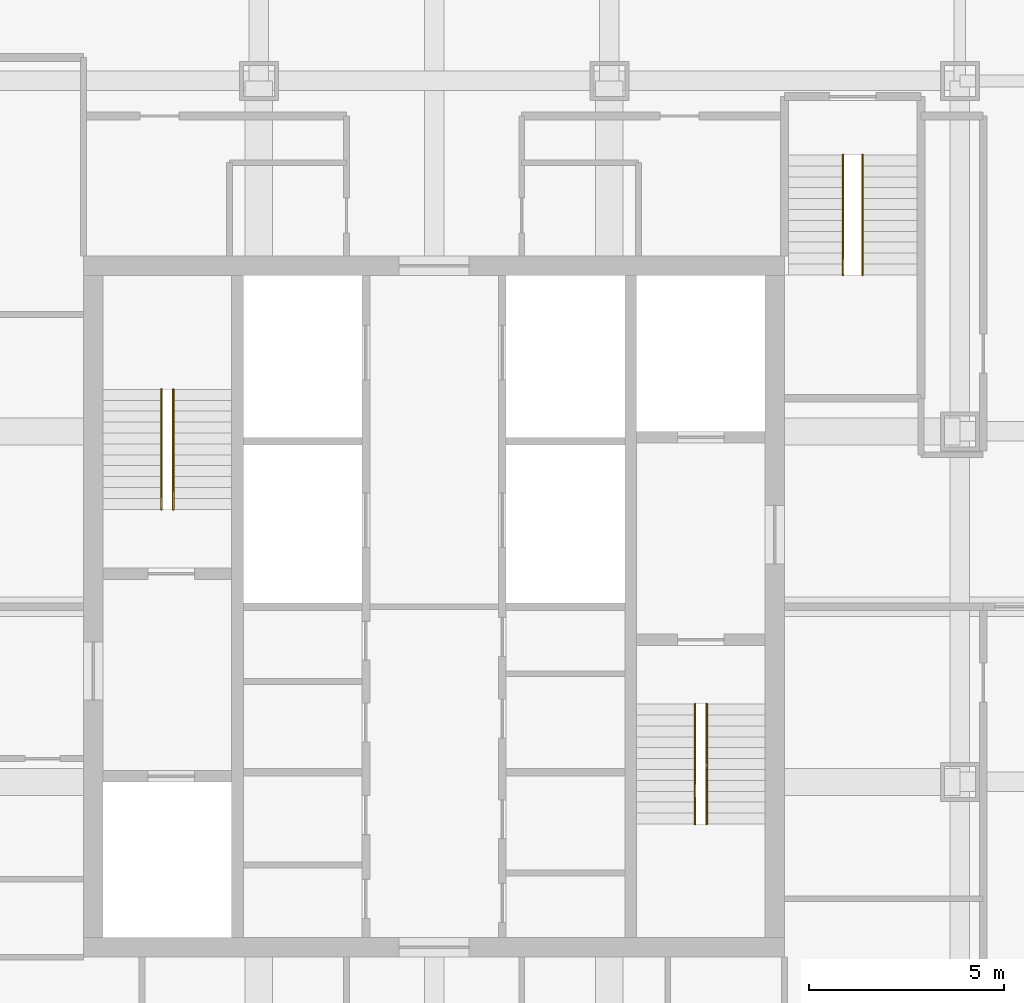
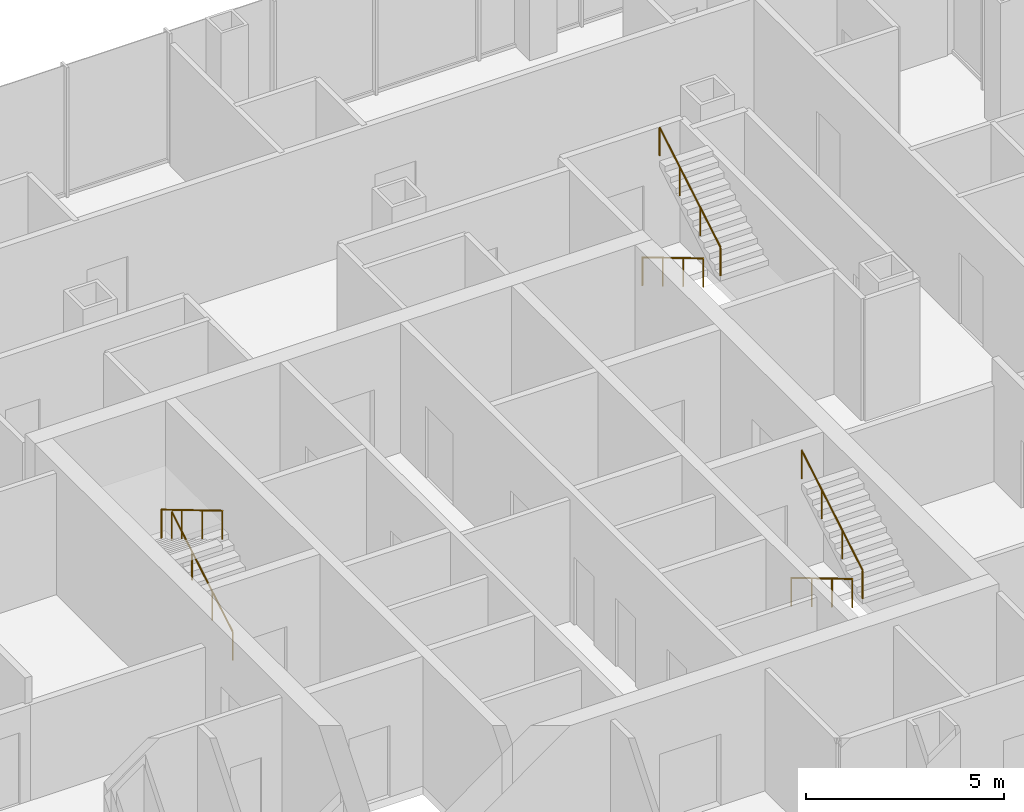
# One storey, part 11 of 11: 6 railings.
"""IFC4 building model written with IfcOpenShell, lengths in metres."""

from ifc_helpers import new_model, si_unit, direction, frame, origin, origin_2d, place, context, subcontext, project, spatial, circle, extrude, material, type_object, element, save


model = new_model("IFC4")

# Units and contexts
model_context = context("Model", 3, precision=1e-05, world=origin(), true_north=direction((0.0, 1.0)))
body_context = subcontext(model_context, "Body", "Model", "MODEL_VIEW")
ifc_project = project(units=[si_unit("LENGTHUNIT", "METRE"), si_unit("AREAUNIT", "SQUARE_METRE"), si_unit("VOLUMEUNIT", "CUBIC_METRE"), si_unit("PLANEANGLEUNIT", "RADIAN"), si_unit("MASSUNIT", "GRAM", prefix="KILO")], contexts=[model_context])

# Site, building, storey
site_placement = place(None, origin())
site = spatial("IfcSite", under=ifc_project, at=site_placement, CompositionType="ELEMENT")
building_placement = place(site_placement, origin())
building = spatial("IfcBuilding", under=site, at=building_placement, Name="Malebo Sky Hospital", CompositionType="ELEMENT")
storey_placement = place(building_placement, frame((0.0, 0.0, 213.0)))
storey = spatial("IfcBuildingStorey", under=building, at=storey_placement, Name="L51", CompositionType="ELEMENT", Elevation=213.0)

# Railings
ifc_material = material(Name="Stainless steel tube", Category="steel")
railing_type = type_object("IfcRailingType", Name="STAIR HANDRAIL 900", PredefinedType="HANDRAIL", material=ifc_material)
railing_1_placement = place(storey_placement, frame((53.300048828125, 64.5, 0.166748046875)))
element("IfcRailing", 1, at=railing_1_placement, inside=storey, type_object=railing_type, Name="Stair handrail S1 flight 1", PredefinedType="HANDRAIL", context=body_context, shape_type="SweptSolid", body=[
    extrude(circle(Radius=0.02392578125, at=origin_2d()), frame((0.0, 0.0, 0.8759765625), z_axis=(0.0, 0.859308565015, 0.511457515432), x_axis=(-1.0, 0.0, 0.0)), (0.0, 0.0, 1.0), 3.58447265625),
    extrude(circle(Radius=0.02099609375, at=origin_2d()), origin(), (0.0, 0.0, 1.0), 0.851806640625),
    extrude(circle(Radius=0.02099609375, at=origin_2d()), frame((0.0, 1.026611328125, 0.611083984375)), (0.0, 0.0, 1.0), 0.851806640625),
    extrude(circle(Radius=0.02099609375, at=origin_2d()), frame((0.0, 2.053466796875, 1.22216796875)), (0.0, 0.0, 1.0), 0.851806640625),
    extrude(circle(Radius=0.02099609375, at=origin_2d()), frame((0.0, 3.080078125, 1.833251953125)), (0.0, 0.0, 1.0), 0.851806640625),
])
for number, where, name in (
    (2, (53.0, 67.580078125, 2.166748046875), "Stair handrail S1 flight 2"),
    (3, (66.699951171875, 59.5, 0.166748046875), "Stair handrail S2 flight 1"),
):
    element("IfcRailing", number, at=place(storey_placement, frame(where)), inside=storey, type_object=railing_type, Name=name, PredefinedType="HANDRAIL", context=body_context, shape_type="SweptSolid", body=[
        extrude(circle(Radius=0.02392578125, at=origin_2d()), frame((0.0, 0.0, 0.8759765625), z_axis=(0.0, -0.859308565015, 0.511457515432), x_axis=(1.0, 0.0, 0.0)), (0.0, 0.0, 1.0), 3.58447265625),
        extrude(circle(Radius=0.02099609375, at=origin_2d()), origin(), (0.0, 0.0, 1.0), 0.851806640625),
        extrude(circle(Radius=0.02099609375, at=origin_2d()), frame((0.0, -1.026611328125, 0.611083984375)), (0.0, 0.0, 1.0), 0.851806640625),
        extrude(circle(Radius=0.02099609375, at=origin_2d()), frame((0.0, -2.053466796875, 1.22216796875)), (0.0, 0.0, 1.0), 0.851806640625),
        extrude(circle(Radius=0.02099609375, at=origin_2d()), frame((0.0, -3.080078125, 1.833251953125)), (0.0, 0.0, 1.0), 0.851806640625),
    ])
railing_2_placement = place(storey_placement, frame((67.0, 56.419921875, 2.166748046875)))
element("IfcRailing", 4, at=railing_2_placement, inside=storey, type_object=railing_type, Name="Stair handrail S2 flight 2", PredefinedType="HANDRAIL", context=body_context, shape_type="SweptSolid", body=[
    extrude(circle(Radius=0.02392578125, at=origin_2d()), frame((0.0, 0.0, 0.8759765625), z_axis=(0.0, 0.859308565015, 0.511457515432), x_axis=(-1.0, 0.0, 0.0)), (0.0, 0.0, 1.0), 3.58447265625),
    extrude(circle(Radius=0.02099609375, at=origin_2d()), origin(), (0.0, 0.0, 1.0), 0.851806640625),
    extrude(circle(Radius=0.02099609375, at=origin_2d()), frame((0.0, 1.026611328125, 0.611083984375)), (0.0, 0.0, 1.0), 0.851806640625),
    extrude(circle(Radius=0.02099609375, at=origin_2d()), frame((0.0, 2.053466796875, 1.22216796875)), (0.0, 0.0, 1.0), 0.851806640625),
    extrude(circle(Radius=0.02099609375, at=origin_2d()), frame((0.0, 3.080078125, 1.833251953125)), (0.0, 0.0, 1.0), 0.851806640625),
])
railing_3_placement = place(storey_placement, frame((70.5, 73.60009765625, 0.166748046875)))
element("IfcRailing", 5, at=railing_3_placement, inside=storey, type_object=railing_type, Name="Stair handrail S3 flight 1", PredefinedType="HANDRAIL", context=body_context, shape_type="SweptSolid", body=[
    extrude(circle(Radius=0.02392578125, at=origin_2d()), frame((0.0, 0.0, 0.8759765625), z_axis=(0.0, -0.859308565015, 0.511457515432), x_axis=(1.0, 0.0, 0.0)), (0.0, 0.0, 1.0), 3.58447265625),
    extrude(circle(Radius=0.02099609375, at=origin_2d()), origin(), (0.0, 0.0, 1.0), 0.851806640625),
    extrude(circle(Radius=0.02099609375, at=origin_2d()), frame((0.0, -1.026611328125, 0.611083984375)), (0.0, 0.0, 1.0), 0.851806640625),
    extrude(circle(Radius=0.02099609375, at=origin_2d()), frame((0.0, -2.053466796875, 1.22216796875)), (0.0, 0.0, 1.0), 0.851806640625),
    extrude(circle(Radius=0.02099609375, at=origin_2d()), frame((0.0, -3.080078125, 1.833251953125)), (0.0, 0.0, 1.0), 0.851806640625),
])
railing_4_placement = place(storey_placement, frame((71.0, 70.52001953125, 2.166748046875)))
element("IfcRailing", 6, at=railing_4_placement, inside=storey, type_object=railing_type, Name="Stair handrail S3 flight 2", PredefinedType="HANDRAIL", context=body_context, shape_type="SweptSolid", body=[
    extrude(circle(Radius=0.02392578125, at=origin_2d()), frame((0.0, 0.0, 0.8759765625), z_axis=(0.0, 0.859308565015, 0.511457515432), x_axis=(-1.0, 0.0, 0.0)), (0.0, 0.0, 1.0), 3.58447265625),
    extrude(circle(Radius=0.02099609375, at=origin_2d()), origin(), (0.0, 0.0, 1.0), 0.851806640625),
    extrude(circle(Radius=0.02099609375, at=origin_2d()), frame((0.0, 1.026611328125, 0.611083984375)), (0.0, 0.0, 1.0), 0.851806640625),
    extrude(circle(Radius=0.02099609375, at=origin_2d()), frame((0.0, 2.053466796875, 1.22216796875)), (0.0, 0.0, 1.0), 0.851806640625),
    extrude(circle(Radius=0.02099609375, at=origin_2d()), frame((0.0, 3.080078125, 1.833251953125)), (0.0, 0.0, 1.0), 0.851806640625),
])

save(model, "model.ifc")
